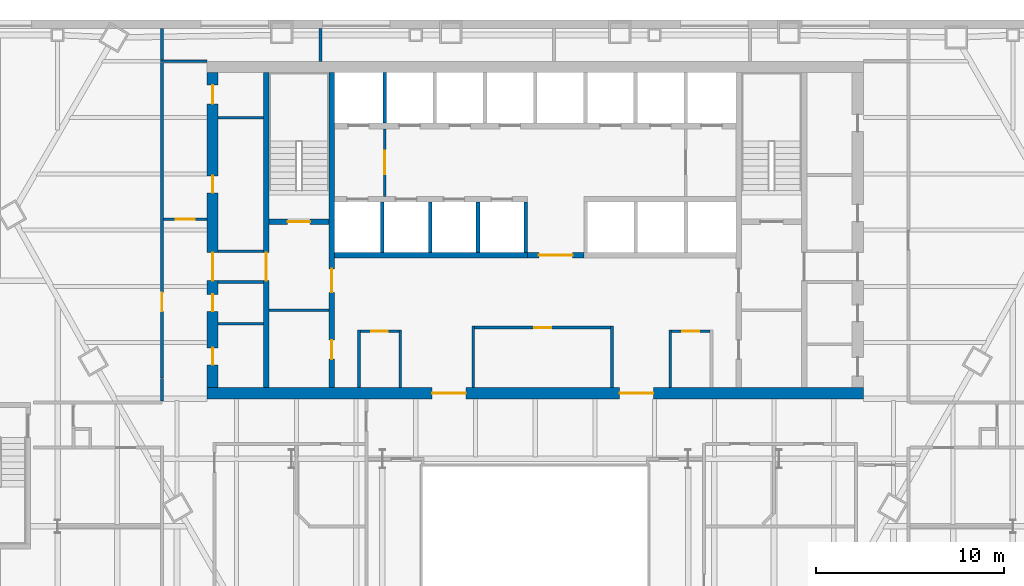
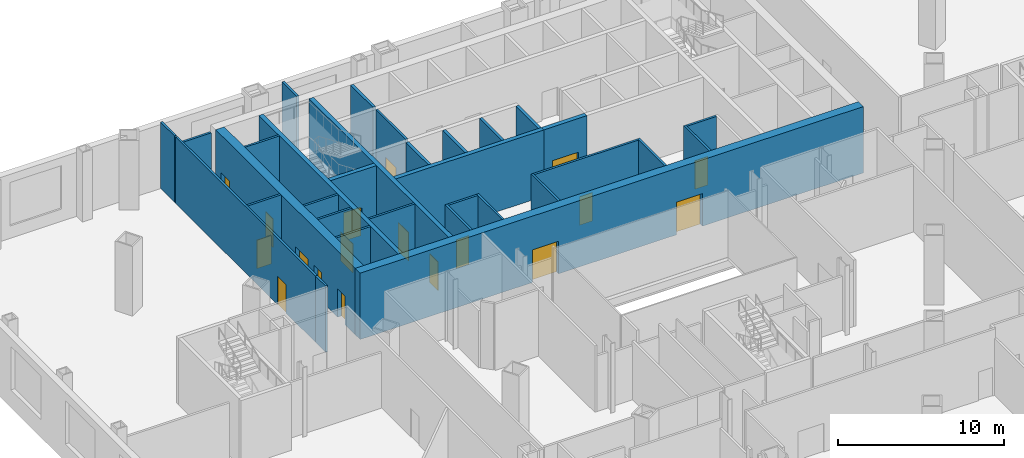
# One storey, part 12 of 21: 32 walls, 18 doors, 18 openings.
"""IFC4 building model written with IfcOpenShell, lengths in metres."""

import ifcopenshell
import ifcopenshell.guid

model = None  # the IFC model being written
_history = None  # IfcOwnerHistory: only IFC2X3 demands one
_inside = {}  # id of a spatial element -> (the spatial element, [elements in it])
_under = {}  # id of a project, library or spatial element -> (it, [spatial elements below it])
_declared = {}  # id of a project -> (the project, [libraries it declares])
_typed = {}  # id of a type object -> (the type object, [elements of that type])
_made_of = {}  # id of a material, layer set ... -> (it, [elements and type objects made of it])


def new_model(schema):
    """Start an empty IFC model of exactly this schema.

    Asked for "IFC4X3", IfcOpenShell would pick the latest addendum, in which some entities
    have other attributes; the version numbers below select the first issue.
    IFC2X3 requires an IfcOwnerHistory on every rooted entity: one is made here for all.
    """
    global model, _history
    if schema == "IFC4X3":
        model = ifcopenshell.file(schema_version=(4, 3, 0, 0))
    else:
        model = ifcopenshell.file(schema=schema)
    _inside.clear()
    _under.clear()
    _declared.clear()
    _typed.clear()
    _made_of.clear()
    _history = None
    if model.schema == "IFC2X3":
        org = make("IfcOrganization", Name="unknown")
        user = make(
            "IfcPersonAndOrganization",
            ThePerson=make("IfcPerson", FamilyName="unknown"),
            TheOrganization=org,
        )
        app = make(
            "IfcApplication",
            ApplicationDeveloper=org,
            Version="unknown",
            ApplicationFullName="unknown",
            ApplicationIdentifier="unknown",
        )
        _history = make(
            "IfcOwnerHistory",
            OwningUser=user,
            OwningApplication=app,
            ChangeAction="ADDED",
            CreationDate=0,
        )
    return model


def make(cls, **values):
    """One entity of the class cls with the attributes given. An attribute that is None is left unset."""
    return model.create_entity(
        cls, **{name: value for name, value in values.items() if value is not None}
    )


def rooted(cls, **values):
    """An entity with a GlobalId (a new one), such as an element, a storey or a relation."""
    return make(cls, GlobalId=ifcopenshell.guid.new(), OwnerHistory=_history, **values)


def si_unit(unit_type, name, prefix=None):
    """IfcSIUnit, for example si_unit("LENGTHUNIT", "METRE", prefix="MILLI")."""
    return make("IfcSIUnit", UnitType=unit_type, Prefix=prefix, Name=name)


def assignment(units):
    """IfcUnitAssignment: the units of a project."""
    return None if units is None else make("IfcUnitAssignment", Units=units)


def point(xyz):
    """IfcCartesianPoint."""
    return None if xyz is None else make("IfcCartesianPoint", Coordinates=xyz)


def direction(xyz):
    """IfcDirection."""
    return None if xyz is None else make("IfcDirection", DirectionRatios=xyz)


def frame(location, z_axis=None, x_axis=None):
    """IfcAxis2Placement3D, a coordinate frame: its origin and axes. An axis left out is left unset."""
    return make(
        "IfcAxis2Placement3D",
        Location=point(location),
        Axis=direction(z_axis),
        RefDirection=direction(x_axis),
    )


def frame_2d(location, x_axis=None):
    """IfcAxis2Placement2D, a coordinate frame in the plane: its origin and x axis."""
    return make(
        "IfcAxis2Placement2D", Location=point(location), RefDirection=direction(x_axis)
    )


def origin():
    """The frame at (0, 0, 0) with its axes left unset."""
    return frame((0.0, 0.0, 0.0))


def place(relative_to, where):
    """IfcLocalPlacement: puts the frame where relative to a parent placement (None: the world)."""
    return make(
        "IfcLocalPlacement", PlacementRelTo=relative_to, RelativePlacement=where
    )


def context(
    kind, dimensions, precision=None, world=None, true_north=None, identifier=None
):
    """IfcGeometricRepresentationContext, for example the 3D "Model" context."""
    return make(
        "IfcGeometricRepresentationContext",
        ContextIdentifier=identifier,
        ContextType=kind,
        CoordinateSpaceDimension=dimensions,
        Precision=precision,
        WorldCoordinateSystem=world,
        TrueNorth=true_north,
    )


def subcontext(parent, identifier, kind, view, scale=None):
    """IfcGeometricRepresentationSubContext, for example "Body" below "Model"."""
    return make(
        "IfcGeometricRepresentationSubContext",
        ContextIdentifier=identifier,
        ContextType=kind,
        ParentContext=parent,
        TargetScale=scale,
        TargetView=view,
    )


def project(units=None, contexts=None):
    """IfcProject with its units and contexts."""
    return rooted(
        "IfcProject",
        Name="project",
        RepresentationContexts=contexts,
        UnitsInContext=assignment(units),
    )


def spatial(cls, under=None, at=None, **own):
    """A site, building, storey or space (cls), placed at a placement, below another one or the project."""
    s = rooted(cls, ObjectPlacement=at, **own)
    if under is not None:
        _under.setdefault(under.id(), (under, []))[1].append(s)
    return s


def profile(cls, at=None, kind="AREA", **sizes):
    """A parametric profile (cls). Its sizes go by their IFC names, for example OverallWidth=200.0."""
    return make(cls, ProfileType=kind, Position=at, **sizes)


def rectangle(**sizes):
    """IfcRectangleProfileDef."""
    return profile("IfcRectangleProfileDef", **sizes)


def extrude(swept, where, along, depth):
    """IfcExtrudedAreaSolid: the profile swept, set in the frame where, extruded along a direction by depth."""
    return make(
        "IfcExtrudedAreaSolid",
        SweptArea=swept,
        Position=where,
        ExtrudedDirection=direction(along),
        Depth=depth,
    )


def shape(context_of_items, identifier, shape_type, items):
    """IfcShapeRepresentation: the items that make up one representation, for example the "Body"."""
    return make(
        "IfcShapeRepresentation",
        ContextOfItems=context_of_items,
        RepresentationIdentifier=identifier,
        RepresentationType=shape_type,
        Items=items,
    )


def material(Name=None, Category=None):
    """IfcMaterial."""
    return make("IfcMaterial", Name=Name, Category=Category)


def layer(
    of_material, thickness, ventilated=None, Name=None, Category=None, Priority=None
):
    """IfcMaterialLayer: one layer of a wall or slab, of a material (None: an air gap)."""
    return make(
        "IfcMaterialLayer",
        Material=of_material,
        LayerThickness=thickness,
        IsVentilated=ventilated,
        Name=Name,
        Category=Category,
        Priority=Priority,
    )


def layer_set(layers, Name=None):
    """IfcMaterialLayerSet."""
    return make("IfcMaterialLayerSet", MaterialLayers=layers, LayerSetName=Name)


def made_of(thing, what):
    """Note that an element or type object is made of a material, layer set ...; save() writes the relation."""
    if what is not None:
        _made_of.setdefault(what.id(), (what, []))[1].append(thing)
    return thing


def type_object(cls, material=None, **own):
    """A type object (cls), such as IfcWallType, which elements share."""
    return made_of(rooted(cls, **own), material)


def element(
    cls,
    number,
    at=None,
    inside=None,
    cuts=None,
    type_object=None,
    material=None,
    context=None,
    identifier="Body",
    shape_type=None,
    held_by="IfcProductDefinitionShape",
    body=None,
    shapes=None,
    **own,
):
    """One element of the class cls, such as IfcWall. Its Tag is "e" and its number.

    at: its placement. inside: the storey or other place that contains it. cuts: it is an
    opening in that element (IfcRelVoidsElement). A single representation is given by context,
    identifier, shape_type and body (its items); several are given by shapes. held_by: the class
    of the entity that holds the representations. save() writes the other relations.
    """
    e = rooted(cls, Tag="e%d" % number, ObjectPlacement=at, **own)
    if body is not None:
        shapes = [shape(context, identifier, shape_type, body)]
    if shapes is not None:
        e.Representation = make(held_by, Representations=shapes)
    if inside is not None:
        _inside.setdefault(inside.id(), (inside, []))[1].append(e)
    if cuts is not None:
        rooted(
            "IfcRelVoidsElement", RelatingBuildingElement=cuts, RelatedOpeningElement=e
        )
    if type_object is not None:
        _typed.setdefault(type_object.id(), (type_object, []))[1].append(e)
    return made_of(e, material)


def fill(opening, filler):
    """IfcRelFillsElement: the door or window that sits in an opening."""
    return rooted(
        "IfcRelFillsElement",
        RelatingOpeningElement=opening,
        RelatedBuildingElement=filler,
    )


def aggregate(whole, parts):
    """IfcRelAggregates: a whole, such as a stair, and the parts it consists of."""
    return rooted("IfcRelAggregates", RelatingObject=whole, RelatedObjects=parts)


def save(model, path):
    """Write the relations noted so far, then the file.

    IfcRelAggregates (storeys below a building ...), IfcRelContainedInSpatialStructure (elements
    in a storey), IfcRelDefinesByType, IfcRelAssociatesMaterial and IfcRelDeclares: one each for
    every whole, place, type object, material and project.
    """
    for whole, parts in _under.values():
        aggregate(whole, parts)
    for where, things in _inside.values():
        rooted(
            "IfcRelContainedInSpatialStructure",
            RelatedElements=things,
            RelatingStructure=where,
        )
    for kind, things in _typed.values():
        rooted("IfcRelDefinesByType", RelatedObjects=things, RelatingType=kind)
    for what, things in _made_of.values():
        rooted("IfcRelAssociatesMaterial", RelatedObjects=things, RelatingMaterial=what)
    for by, libraries in _declared.values():
        rooted("IfcRelDeclares", RelatingContext=by, RelatedDefinitions=libraries)
    model.write(path)


model = new_model("IFC4")

# Units and contexts
model_context = context("Model", 3, precision=1e-05, world=origin(), true_north=direction((0.0, 1.0)))
body_context = subcontext(model_context, "Body", "Model", "MODEL_VIEW")
ifc_project = project(units=[si_unit("LENGTHUNIT", "METRE"), si_unit("AREAUNIT", "SQUARE_METRE"), si_unit("VOLUMEUNIT", "CUBIC_METRE"), si_unit("PLANEANGLEUNIT", "RADIAN"), si_unit("MASSUNIT", "GRAM", prefix="KILO")], contexts=[model_context])

# Site, building, storey
site_placement = place(None, origin())
site = spatial("IfcSite", under=ifc_project, at=site_placement, CompositionType="ELEMENT")
building_placement = place(site_placement, origin())
building = spatial("IfcBuilding", under=site, at=building_placement, Name="Njiva Tower", CompositionType="ELEMENT")
storey_placement = place(building_placement, frame((0.0, 0.0, 8.4)))
storey = spatial("IfcBuildingStorey", under=building, at=storey_placement, Name="L01", CompositionType="ELEMENT", Elevation=8.4)

# Walls
ifc_material_1 = material(Name="Blockwork", Category="masonry")
ifc_layer_1 = layer(ifc_material_1, 0.15)
ifc_layer_set_1 = layer_set([ifc_layer_1], Name="Blockwork")
wall_type_1 = type_object("IfcWallType", Name="WT1 Compartment partition 150", PredefinedType="PARTITIONING", material=ifc_layer_set_1)
wall_1_placement = place(storey_placement, frame((-14.2, 4.725, 0.0), z_axis=(0.0, 0.0, 1.0), x_axis=(1.0, 0.0, 0.0)))
element("IfcWall", 1, at=wall_1_placement, inside=storey, type_object=wall_type_1, Name="Room wall A", PredefinedType="PARTITIONING", context=body_context, shape_type="SweptSolid", body=[
    extrude(rectangle(XDim=3.2, YDim=0.15, at=frame_2d((1.6, 0.0))), origin(), (0.0, 0.0, 1.0), 4.88),
])
wall_2_placement = place(storey_placement, frame((-16.9, 14.9919, 0.0), z_axis=(0.0, 0.0, 1.0), x_axis=(1.0, 0.0, 0.0)))
element("IfcWall", 2, at=wall_2_placement, inside=storey, type_object=wall_type_1, Name="Partition strip W10", PredefinedType="PARTITIONING", context=body_context, shape_type="SweptSolid", body=[
    extrude(rectangle(XDim=2.4, YDim=0.15, at=frame_2d((1.2, 0.0))), origin(), (0.0, 0.0, 1.0), 4.88),
])
wall_3_placement = place(storey_placement, frame((7.2, 0.6, 0.0), z_axis=(0.0, 0.0, 1.0), x_axis=(0.0, 1.0, 0.0)))
element("IfcWall", 3, at=wall_3_placement, inside=storey, type_object=wall_type_1, Name="Tenant reception wall west", PredefinedType="PARTITIONING", context=body_context, shape_type="SweptSolid", body=[
    extrude(rectangle(XDim=3.075, YDim=0.15, at=frame_2d((1.5375, 0.0))), origin(), (0.0, 0.0, 1.0), 4.88),
])

# Wall, opening, door
wall_4_placement = place(storey_placement, frame((7.275, 3.6, 0.0), z_axis=(0.0, 0.0, 1.0), x_axis=(1.0, 0.0, 0.0)))
wall_4 = element("IfcWall", 4, at=wall_4_placement, inside=storey, type_object=wall_type_1, Name="Tenant reception wall north", PredefinedType="PARTITIONING", context=body_context, shape_type="SweptSolid", body=[
    extrude(rectangle(XDim=2.05, YDim=0.15, at=frame_2d((1.025, 0.0))), origin(), (0.0, 0.0, 1.0), 4.88),
])
opening_1_placement = place(wall_4_placement, frame((0.575, 0.0, 0.0)))
opening_1 = element("IfcOpeningElement", 5, at=opening_1_placement, cuts=wall_4, Name="Opening L01-D932", PredefinedType="OPENING", context=body_context, shape_type="SweptSolid", body=[
    extrude(rectangle(XDim=0.9, YDim=2.1, at=frame_2d((0.45, 1.05))), frame((0.0, 0.085, 0.0), z_axis=(0.0, -1.0, 0.0), x_axis=(1.0, 0.0, 0.0)), (0.0, 0.0, 1.0), 0.17),
])
ifc_material_2 = material(Name="Steel fire door, painted", Category="steel")
door_type_1 = type_object("IfcDoorType", Name="D6 Fire-rated door 900x2100", OperationType="SINGLE_SWING_LEFT", PredefinedType="DOOR", material=ifc_material_2)
door_1_placement = place(opening_1_placement, origin())
door_1 = element("IfcDoor", 6, at=door_1_placement, inside=storey, type_object=door_type_1, Name="Tenant reception door", OperationType="SINGLE_SWING_RIGHT", OverallHeight=2.1, OverallWidth=0.9, PredefinedType="DOOR", context=body_context, shape_type="SweptSolid", body=[
    extrude(rectangle(XDim=0.9, YDim=2.1, at=frame_2d((0.45, 1.05))), frame((0.0, 0.025, 0.0), z_axis=(0.0, -1.0, 0.0), x_axis=(1.0, 0.0, 0.0)), (0.0, 0.0, 1.0), 0.05),
])
fill(opening_1, door_1)

# Walls
for number, where, z_axis, x_axis, name in (
    (7, (-3.3, 0.6, 0.0), (0.0, 0.0, 1.0), (0.0, 1.0, 0.0), "Waiting room wall west"),
    (8, (4.1, 0.6, 0.0), (0.0, 0.0, 1.0), (0.0, 1.0, 0.0), "Waiting room wall east"),
):
    element("IfcWall", number, at=place(storey_placement, frame(where, z_axis=z_axis, x_axis=x_axis)), inside=storey, type_object=wall_type_1, Name=name, PredefinedType="PARTITIONING", context=body_context, shape_type="SweptSolid", body=[
        extrude(rectangle(XDim=3.275, YDim=0.15, at=frame_2d((1.6375, 0.0))), origin(), (0.0, 0.0, 1.0), 4.88),
    ])

# Wall, opening, door
wall_5_placement = place(storey_placement, frame((-3.225, 3.8, 0.0), z_axis=(0.0, 0.0, 1.0), x_axis=(1.0, 0.0, 0.0)))
wall_5 = element("IfcWall", 9, at=wall_5_placement, inside=storey, type_object=wall_type_1, Name="Waiting room wall north", PredefinedType="PARTITIONING", context=body_context, shape_type="SweptSolid", body=[
    extrude(rectangle(XDim=7.25, YDim=0.15, at=frame_2d((3.625, 0.0))), origin(), (0.0, 0.0, 1.0), 4.88),
])
opening_2_placement = place(wall_5_placement, frame((3.175, 0.0, 0.0)))
opening_2 = element("IfcOpeningElement", 10, at=opening_2_placement, cuts=wall_5, Name="Opening L01-D933", PredefinedType="OPENING", context=body_context, shape_type="SweptSolid", body=[
    extrude(rectangle(XDim=0.9, YDim=2.1, at=frame_2d((0.45, 1.05))), frame((0.0, 0.085, 0.0), z_axis=(0.0, -1.0, 0.0), x_axis=(1.0, 0.0, 0.0)), (0.0, 0.0, 1.0), 0.17),
])
door_2_placement = place(opening_2_placement, origin())
door_2 = element("IfcDoor", 11, at=door_2_placement, inside=storey, type_object=door_type_1, Name="Waiting room door", OperationType="SINGLE_SWING_LEFT", OverallHeight=2.1, OverallWidth=0.9, PredefinedType="DOOR", context=body_context, shape_type="SweptSolid", body=[
    extrude(rectangle(XDim=0.9, YDim=2.1, at=frame_2d((0.45, 1.05))), frame((0.0, 0.025, 0.0), z_axis=(0.0, -1.0, 0.0), x_axis=(1.0, 0.0, 0.0)), (0.0, 0.0, 1.0), 0.05),
])
fill(opening_2, door_2)

# Walls
for number, where, z_axis, x_axis, name in (
    (12, (-9.4, 0.6, 0.0), (0.0, 0.0, 1.0), (0.0, 1.0, 0.0), "First aid room wall west"),
    (13, (-7.2, 0.6, 0.0), (0.0, 0.0, 1.0), (0.0, 1.0, 0.0), "First aid room wall east"),
):
    element("IfcWall", number, at=place(storey_placement, frame(where, z_axis=z_axis, x_axis=x_axis)), inside=storey, type_object=wall_type_1, Name=name, PredefinedType="PARTITIONING", context=body_context, shape_type="SweptSolid", body=[
        extrude(rectangle(XDim=3.075, YDim=0.15, at=frame_2d((1.5375, 0.0))), origin(), (0.0, 0.0, 1.0), 4.88),
    ])

# Wall, opening, door
wall_6_placement = place(storey_placement, frame((-9.325, 3.6, 0.0), z_axis=(0.0, 0.0, 1.0), x_axis=(1.0, 0.0, 0.0)))
wall_6 = element("IfcWall", 14, at=wall_6_placement, inside=storey, type_object=wall_type_1, Name="First aid room wall north", PredefinedType="PARTITIONING", context=body_context, shape_type="SweptSolid", body=[
    extrude(rectangle(XDim=2.05, YDim=0.15, at=frame_2d((1.025, 0.0))), origin(), (0.0, 0.0, 1.0), 4.88),
])
opening_3_placement = place(wall_6_placement, frame((0.575, 0.0, 0.0)))
opening_3 = element("IfcOpeningElement", 15, at=opening_3_placement, cuts=wall_6, Name="Opening L01-D934", PredefinedType="OPENING", context=body_context, shape_type="SweptSolid", body=[
    extrude(rectangle(XDim=0.9, YDim=2.1, at=frame_2d((0.45, 1.05))), frame((0.0, 0.085, 0.0), z_axis=(0.0, -1.0, 0.0), x_axis=(1.0, 0.0, 0.0)), (0.0, 0.0, 1.0), 0.17),
])
door_3_placement = place(opening_3_placement, origin())
door_3 = element("IfcDoor", 16, at=door_3_placement, inside=storey, type_object=door_type_1, Name="First aid room door", OperationType="SINGLE_SWING_RIGHT", OverallHeight=2.1, OverallWidth=0.9, PredefinedType="DOOR", context=body_context, shape_type="SweptSolid", body=[
    extrude(rectangle(XDim=0.9, YDim=2.1, at=frame_2d((0.45, 1.05))), frame((0.0, 0.025, 0.0), z_axis=(0.0, -1.0, 0.0), x_axis=(1.0, 0.0, 0.0)), (0.0, 0.0, 1.0), 0.05),
])
fill(opening_3, door_3)

# Wall, openings, doors
ifc_material_3 = material(Name="Concrete C40/50", Category="concrete")
ifc_layer_2 = layer(ifc_material_3, 0.3)
ifc_layer_set_2 = layer_set([ifc_layer_2], Name="Concrete C40/50")
wall_type_2 = type_object("IfcWallType", Name="WT10 Stair enclosure wall 300", PredefinedType="SHEAR", material=ifc_layer_set_2)
wall_7_placement = place(storey_placement, frame((-10.85, 0.6, 0.0), z_axis=(0.0, 0.0, 1.0), x_axis=(0.0, 1.0, 0.0)))
wall_7 = element("IfcWall", 17, at=wall_7_placement, inside=storey, type_object=wall_type_2, Name="Stair wall west inner", PredefinedType="SHEAR", context=body_context, shape_type="SweptSolid", body=[
    extrude(rectangle(XDim=16.8, YDim=0.3, at=frame_2d((8.4, 0.0))), origin(), (0.0, 0.0, 1.0), 4.88),
])
opening_4_placement = place(wall_7_placement, frame((5.075, 0.0, 0.0)))
opening_4 = element("IfcOpeningElement", 18, at=opening_4_placement, cuts=wall_7, Name="Opening L01-D914", PredefinedType="OPENING", context=body_context, shape_type="SweptSolid", body=[
    extrude(rectangle(XDim=1.25, YDim=2.1, at=frame_2d((0.625, 1.05))), frame((0.0, 0.16, 0.0), z_axis=(0.0, -1.0, 0.0), x_axis=(1.0, 0.0, 0.0)), (0.0, 0.0, 1.0), 0.32),
])
opening_5_placement = place(wall_7_placement, frame((1.525, 0.0, 0.0)))
opening_5 = element("IfcOpeningElement", 19, at=opening_5_placement, cuts=wall_7, Name="Opening L01-D915", PredefinedType="OPENING", context=body_context, shape_type="SweptSolid", body=[
    extrude(rectangle(XDim=1.0, YDim=2.1, at=frame_2d((0.5, 1.05))), frame((0.0, 0.16, 0.0), z_axis=(0.0, -1.0, 0.0), x_axis=(1.0, 0.0, 0.0)), (0.0, 0.0, 1.0), 0.32),
])
ifc_material_4 = material(Name="Steel door, painted", Category="steel")
door_type_2 = type_object("IfcDoorType", Name="D5 Steel door 1000x2100", OperationType="SINGLE_SWING_LEFT", PredefinedType="DOOR", material=ifc_material_4)
door_4_placement = place(opening_5_placement, origin())
door_4 = element("IfcDoor", 20, at=door_4_placement, inside=storey, type_object=door_type_2, Name="Meeting room door", OperationType="SINGLE_SWING_RIGHT", OverallHeight=2.1, OverallWidth=1.0, PredefinedType="DOOR", context=body_context, shape_type="SweptSolid", body=[
    extrude(rectangle(XDim=1.0, YDim=2.1, at=frame_2d((0.5, 1.05))), frame((0.0, 0.025, 0.0), z_axis=(0.0, -1.0, 0.0), x_axis=(1.0, 0.0, 0.0)), (0.0, 0.0, 1.0), 0.05),
])
fill(opening_5, door_4)
ifc_material_5 = material(Name="Glazed steel fire door", Category="steel")
door_type_3 = type_object("IfcDoorType", Name="D8 Vestibule corridor door 1250x2100 glazed", OperationType="SINGLE_SWING_LEFT", PredefinedType="DOOR", material=ifc_material_5)
door_5_placement = place(opening_4_placement, origin())
door_5 = element("IfcDoor", 21, at=door_5_placement, inside=storey, type_object=door_type_3, Name="Stair vestibule corridor door", OperationType="SINGLE_SWING_LEFT", OverallHeight=2.1, OverallWidth=1.25, PredefinedType="DOOR", context=body_context, shape_type="SweptSolid", body=[
    extrude(rectangle(XDim=1.25, YDim=2.1, at=frame_2d((0.625, 1.05))), frame((0.0, 0.025, 0.0), z_axis=(0.0, -1.0, 0.0), x_axis=(1.0, 0.0, 0.0)), (0.0, 0.0, 1.0), 0.05),
])
fill(opening_4, door_5)

# Wall, opening, door
wall_8_placement = place(storey_placement, frame((-14.35, 0.6, 0.0), z_axis=(0.0, 0.0, 1.0), x_axis=(0.0, 1.0, 0.0)))
wall_8 = element("IfcWall", 22, at=wall_8_placement, inside=storey, type_object=wall_type_2, Name="Stair wall west outer", PredefinedType="SHEAR", context=body_context, shape_type="SweptSolid", body=[
    extrude(rectangle(XDim=16.8, YDim=0.3, at=frame_2d((8.4, 0.0))), origin(), (0.0, 0.0, 1.0), 4.88),
])
opening_6_placement = place(wall_8_placement, frame((5.7, 0.0, 0.0)))
opening_6 = element("IfcOpeningElement", 23, at=opening_6_placement, cuts=wall_8, Name="Opening L01-D920", PredefinedType="OPENING", context=body_context, shape_type="SweptSolid", body=[
    extrude(rectangle(XDim=1.5, YDim=2.1, at=frame_2d((0.75, 1.05))), frame((0.0, 0.16, 0.0), z_axis=(0.0, -1.0, 0.0), x_axis=(1.0, 0.0, 0.0)), (0.0, 0.0, 1.0), 0.32),
])
door_type_4 = type_object("IfcDoorType", Name="D10 Exit door double 1500x2100 glazed", OperationType="DOUBLE_DOOR_SINGLE_SWING", PredefinedType="DOOR", material=ifc_material_5)
door_6_placement = place(opening_6_placement, origin())
door_6 = element("IfcDoor", 24, at=door_6_placement, inside=storey, type_object=door_type_4, Name="Stair A passage door", OperationType="DOUBLE_DOOR_SINGLE_SWING", OverallHeight=2.1, OverallWidth=1.5, PredefinedType="DOOR", context=body_context, shape_type="SweptSolid", body=[
    extrude(rectangle(XDim=1.5, YDim=2.1, at=frame_2d((0.75, 1.05))), frame((0.0, 0.025, 0.0), z_axis=(0.0, -1.0, 0.0), x_axis=(1.0, 0.0, 0.0)), (0.0, 0.0, 1.0), 0.05),
])
fill(opening_6, door_6)

wall_9_placement = place(storey_placement, frame((-14.2, 9.45, 0.0), z_axis=(0.0, 0.0, 1.0), x_axis=(1.0, 0.0, 0.0)))
wall_9 = element("IfcWall", 25, at=wall_9_placement, inside=storey, type_object=wall_type_2, Name="Stair A south wall", PredefinedType="SHEAR", context=body_context, shape_type="SweptSolid", body=[
    extrude(rectangle(XDim=3.2, YDim=0.3, at=frame_2d((1.6, 0.0))), origin(), (0.0, 0.0, 1.0), 4.88),
])
opening_7_placement = place(wall_9_placement, frame((1.0, 0.0, 0.0)))
opening_7 = element("IfcOpeningElement", 26, at=opening_7_placement, cuts=wall_9, Name="Opening L01-D913", PredefinedType="OPENING", context=body_context, shape_type="SweptSolid", body=[
    extrude(rectangle(XDim=1.2, YDim=2.1, at=frame_2d((0.6, 1.05))), frame((0.0, 0.16, 0.0), z_axis=(0.0, -1.0, 0.0), x_axis=(1.0, 0.0, 0.0)), (0.0, 0.0, 1.0), 0.32),
])
door_type_5 = type_object("IfcDoorType", Name="D7 Stair vestibule door 1200x2100 glazed", OperationType="SINGLE_SWING_LEFT", PredefinedType="DOOR", material=ifc_material_5)
door_7_placement = place(opening_7_placement, origin())
door_7 = element("IfcDoor", 27, at=door_7_placement, inside=storey, type_object=door_type_5, Name="Stair A door", OperationType="SINGLE_SWING_LEFT", OverallHeight=2.1, OverallWidth=1.2, PredefinedType="DOOR", context=body_context, shape_type="SweptSolid", body=[
    extrude(rectangle(XDim=1.2, YDim=2.1, at=frame_2d((0.6, 1.05))), frame((0.0, 0.025, 0.0), z_axis=(0.0, -1.0, 0.0), x_axis=(1.0, 0.0, 0.0)), (0.0, 0.0, 1.0), 0.05),
])
fill(opening_7, door_7)

# Wall, openings, doors
ifc_material_6 = material(Name="Concrete C60/75", Category="concrete")
ifc_layer_3 = layer(ifc_material_6, 0.6)
ifc_layer_set_3 = layer_set([ifc_layer_3], Name="Concrete C60/75")
wall_type_3 = type_object("IfcWallType", Name="WT15 Core wall 600", PredefinedType="SHEAR", material=ifc_layer_set_3)
wall_10_placement = place(storey_placement, frame((-17.5, 0.3, 0.0), z_axis=(0.0, 0.0, 1.0), x_axis=(1.0, 0.0, 0.0)))
wall_10 = element("IfcWall", 28, at=wall_10_placement, inside=storey, type_object=wall_type_3, Name="Core wall south", PredefinedType="SHEAR", context=body_context, shape_type="SweptSolid", body=[
    extrude(rectangle(XDim=35.0, YDim=0.6, at=frame_2d((17.5, 0.0))), origin(), (0.0, 0.0, 1.0), 4.88),
])
opening_8_placement = place(wall_10_placement, frame((12.0, 0.0, 0.0)))
opening_8 = element("IfcOpeningElement", 29, at=opening_8_placement, cuts=wall_10, Name="Opening L01-D936", PredefinedType="OPENING", context=body_context, shape_type="SweptSolid", body=[
    extrude(rectangle(XDim=1.8, YDim=2.4, at=frame_2d((0.9, 1.2))), frame((0.0, 0.31, 0.0), z_axis=(0.0, -1.0, 0.0), x_axis=(1.0, 0.0, 0.0)), (0.0, 0.0, 1.0), 0.62),
])
opening_9_placement = place(wall_10_placement, frame((22.0, 0.0, 0.0)))
opening_9 = element("IfcOpeningElement", 30, at=opening_9_placement, cuts=wall_10, Name="Opening L01-D937", PredefinedType="OPENING", context=body_context, shape_type="SweptSolid", body=[
    extrude(rectangle(XDim=1.8, YDim=2.4, at=frame_2d((0.9, 1.2))), frame((0.0, 0.31, 0.0), z_axis=(0.0, -1.0, 0.0), x_axis=(1.0, 0.0, 0.0)), (0.0, 0.0, 1.0), 0.62),
])
ifc_material_7 = material(Name="Steel and glass door", Category="steel")
door_type_6 = type_object("IfcDoorType", Name="D3 Core entrance door 1800x2400", OperationType="DOUBLE_DOOR_SINGLE_SWING", PredefinedType="DOOR", material=ifc_material_7)
door_8_placement = place(opening_8_placement, origin())
door_8 = element("IfcDoor", 31, at=door_8_placement, inside=storey, type_object=door_type_6, Name="Core entrance door", OperationType="DOUBLE_DOOR_SINGLE_SWING", OverallHeight=2.4, OverallWidth=1.8, PredefinedType="DOOR", context=body_context, shape_type="SweptSolid", body=[
    extrude(rectangle(XDim=1.8, YDim=2.4, at=frame_2d((0.9, 1.2))), frame((0.0, 0.025, 0.0), z_axis=(0.0, -1.0, 0.0), x_axis=(1.0, 0.0, 0.0)), (0.0, 0.0, 1.0), 0.05),
])
fill(opening_8, door_8)
door_9_placement = place(opening_9_placement, origin())
door_9 = element("IfcDoor", 32, at=door_9_placement, inside=storey, type_object=door_type_6, Name="Core entrance door", OperationType="DOUBLE_DOOR_SINGLE_SWING", OverallHeight=2.4, OverallWidth=1.8, PredefinedType="DOOR", context=body_context, shape_type="SweptSolid", body=[
    extrude(rectangle(XDim=1.8, YDim=2.4, at=frame_2d((0.9, 1.2))), frame((0.0, 0.025, 0.0), z_axis=(0.0, -1.0, 0.0), x_axis=(1.0, 0.0, 0.0)), (0.0, 0.0, 1.0), 0.05),
])
fill(opening_9, door_9)

wall_11_placement = place(storey_placement, frame((-17.2, 0.6, 0.0), z_axis=(0.0, 0.0, 1.0), x_axis=(0.0, 1.0, 0.0)))
wall_11 = element("IfcWall", 33, at=wall_11_placement, inside=storey, type_object=wall_type_3, Name="Core wall west", PredefinedType="SHEAR", context=body_context, shape_type="SweptSolid", body=[
    extrude(rectangle(XDim=16.8, YDim=0.6, at=frame_2d((8.4, 0.0))), origin(), (0.0, 0.0, 1.0), 4.88),
])
opening_10_placement = place(wall_11_placement, frame((5.7, 0.0, 0.0)))
opening_10 = element("IfcOpeningElement", 34, at=opening_10_placement, cuts=wall_11, Name="Opening L01-D921", PredefinedType="OPENING", context=body_context, shape_type="SweptSolid", body=[
    extrude(rectangle(XDim=1.5, YDim=2.1, at=frame_2d((0.75, 1.05))), frame((0.0, 0.31, 0.0), z_axis=(0.0, -1.0, 0.0), x_axis=(1.0, 0.0, 0.0)), (0.0, 0.0, 1.0), 0.62),
])
opening_11_placement = place(wall_11_placement, frame((1.2145, 0.0, 0.0)))
opening_11 = element("IfcOpeningElement", 35, at=opening_11_placement, cuts=wall_11, Name="Opening L01-D922", PredefinedType="OPENING", context=body_context, shape_type="SweptSolid", body=[
    extrude(rectangle(XDim=0.9, YDim=2.1, at=frame_2d((0.45, 1.05))), frame((0.0, 0.31, 0.0), z_axis=(0.0, -1.0, 0.0), x_axis=(1.0, 0.0, 0.0)), (0.0, 0.0, 1.0), 0.62),
])
opening_12_placement = place(wall_11_placement, frame((4.0645, 0.0, 0.0)))
opening_12 = element("IfcOpeningElement", 36, at=opening_12_placement, cuts=wall_11, Name="Opening L01-D923", PredefinedType="OPENING", context=body_context, shape_type="SweptSolid", body=[
    extrude(rectangle(XDim=0.9, YDim=2.1, at=frame_2d((0.45, 1.05))), frame((0.0, 0.31, 0.0), z_axis=(0.0, -1.0, 0.0), x_axis=(1.0, 0.0, 0.0)), (0.0, 0.0, 1.0), 0.62),
])
opening_13_placement = place(wall_11_placement, frame((10.3834, 0.0, 0.0)))
opening_13 = element("IfcOpeningElement", 37, at=opening_13_placement, cuts=wall_11, Name="Opening L01-D924", PredefinedType="OPENING", context=body_context, shape_type="SweptSolid", body=[
    extrude(rectangle(XDim=0.9, YDim=2.1, at=frame_2d((0.45, 1.05))), frame((0.0, 0.31, 0.0), z_axis=(0.0, -1.0, 0.0), x_axis=(1.0, 0.0, 0.0)), (0.0, 0.0, 1.0), 0.62),
])
opening_14_placement = place(wall_11_placement, frame((15.1334, 0.0, 0.0)))
opening_14 = element("IfcOpeningElement", 38, at=opening_14_placement, cuts=wall_11, Name="Opening L01-D925", PredefinedType="OPENING", context=body_context, shape_type="SweptSolid", body=[
    extrude(rectangle(XDim=1.0, YDim=2.1, at=frame_2d((0.5, 1.05))), frame((0.0, 0.31, 0.0), z_axis=(0.0, -1.0, 0.0), x_axis=(1.0, 0.0, 0.0)), (0.0, 0.0, 1.0), 0.62),
])
door_10_placement = place(opening_10_placement, origin())
door_10 = element("IfcDoor", 39, at=door_10_placement, inside=storey, type_object=door_type_4, Name="Stair A corridor door", OperationType="DOUBLE_DOOR_SINGLE_SWING", OverallHeight=2.1, OverallWidth=1.5, PredefinedType="DOOR", context=body_context, shape_type="SweptSolid", body=[
    extrude(rectangle(XDim=1.5, YDim=2.1, at=frame_2d((0.75, 1.05))), frame((0.0, 0.025, 0.0), z_axis=(0.0, -1.0, 0.0), x_axis=(1.0, 0.0, 0.0)), (0.0, 0.0, 1.0), 0.05),
])
fill(opening_10, door_10)
door_type_7 = type_object("IfcDoorType", Name="D4 Riser door 900x2100", OperationType="SINGLE_SWING_LEFT", PredefinedType="DOOR", material=ifc_material_4)
door_11_placement = place(opening_12_placement, origin())
door_11 = element("IfcDoor", 40, at=door_11_placement, inside=storey, type_object=door_type_7, Name="Riser door", OperationType="SINGLE_SWING_RIGHT", OverallHeight=2.1, OverallWidth=0.9, PredefinedType="DOOR", context=body_context, shape_type="SweptSolid", body=[
    extrude(rectangle(XDim=0.9, YDim=2.1, at=frame_2d((0.45, 1.05))), frame((0.0, 0.025, 0.0), z_axis=(0.0, -1.0, 0.0), x_axis=(1.0, 0.0, 0.0)), (0.0, 0.0, 1.0), 0.05),
])
fill(opening_12, door_11)
door_12_placement = place(opening_14_placement, origin())
door_12 = element("IfcDoor", 41, at=door_12_placement, inside=storey, type_object=door_type_2, Name="Electrical room door", OperationType="SINGLE_SWING_RIGHT", OverallHeight=2.1, OverallWidth=1.0, PredefinedType="DOOR", context=body_context, shape_type="SweptSolid", body=[
    extrude(rectangle(XDim=1.0, YDim=2.1, at=frame_2d((0.5, 1.05))), frame((0.0, 0.025, 0.0), z_axis=(0.0, -1.0, 0.0), x_axis=(1.0, 0.0, 0.0)), (0.0, 0.0, 1.0), 0.05),
])
fill(opening_14, door_12)
door_13_placement = place(opening_11_placement, origin())
door_13 = element("IfcDoor", 42, at=door_13_placement, inside=storey, type_object=door_type_1, Name="Business centre door", OperationType="SINGLE_SWING_LEFT", OverallHeight=2.1, OverallWidth=0.9, PredefinedType="DOOR", context=body_context, shape_type="SweptSolid", body=[
    extrude(rectangle(XDim=0.9, YDim=2.1, at=frame_2d((0.45, 1.05))), frame((0.0, 0.025, 0.0), z_axis=(0.0, -1.0, 0.0), x_axis=(1.0, 0.0, 0.0)), (0.0, 0.0, 1.0), 0.05),
])
fill(opening_11, door_13)
door_14_placement = place(opening_13_placement, origin())
door_14 = element("IfcDoor", 43, at=door_14_placement, inside=storey, type_object=door_type_1, Name="Meeting room door", OperationType="SINGLE_SWING_RIGHT", OverallHeight=2.1, OverallWidth=0.9, PredefinedType="DOOR", context=body_context, shape_type="SweptSolid", body=[
    extrude(rectangle(XDim=0.9, YDim=2.1, at=frame_2d((0.45, 1.05))), frame((0.0, 0.025, 0.0), z_axis=(0.0, -1.0, 0.0), x_axis=(1.0, 0.0, 0.0)), (0.0, 0.0, 1.0), 0.05),
])
fill(opening_13, door_14)

# Wall, opening, door
ifc_layer_4 = layer(ifc_material_1, 0.15)
ifc_layer_set_4 = layer_set([ifc_layer_4], Name="Blockwork")
wall_type_4 = type_object("IfcWallType", Name="WT2 Lobby partition 150", PredefinedType="PARTITIONING", material=ifc_layer_set_4)
wall_12_placement = place(storey_placement, frame((-8.025, 10.8, 0.0), z_axis=(0.0, 0.0, 1.0), x_axis=(0.0, 1.0, 0.0)))
wall_12 = element("IfcWall", 44, at=wall_12_placement, inside=storey, type_object=wall_type_4, Name="Firefighting lobby wall A", PredefinedType="PARTITIONING", context=body_context, shape_type="SweptSolid", body=[
    extrude(rectangle(XDim=3.6, YDim=0.15, at=frame_2d((1.8, 0.0))), origin(), (0.0, 0.0, 1.0), 4.88),
])
opening_15_placement = place(wall_12_placement, frame((1.175, 0.0, 0.0)))
opening_15 = element("IfcOpeningElement", 45, at=opening_15_placement, cuts=wall_12, Name="Opening L01-D912", PredefinedType="OPENING", context=body_context, shape_type="SweptSolid", body=[
    extrude(rectangle(XDim=1.25, YDim=2.1, at=frame_2d((0.625, 1.05))), frame((0.0, 0.085, 0.0), z_axis=(0.0, -1.0, 0.0), x_axis=(1.0, 0.0, 0.0)), (0.0, 0.0, 1.0), 0.17),
])
door_15_placement = place(opening_15_placement, origin())
door_15 = element("IfcDoor", 46, at=door_15_placement, inside=storey, type_object=door_type_3, Name="Stair vestibule corridor door", OperationType="SINGLE_SWING_RIGHT", OverallHeight=2.1, OverallWidth=1.25, PredefinedType="DOOR", context=body_context, shape_type="SweptSolid", body=[
    extrude(rectangle(XDim=1.25, YDim=2.1, at=frame_2d((0.625, 1.05))), frame((0.0, 0.025, 0.0), z_axis=(0.0, -1.0, 0.0), x_axis=(1.0, 0.0, 0.0)), (0.0, 0.0, 1.0), 0.05),
])
fill(opening_15, door_15)

# Wall
ifc_material_8 = material(Name="Gypsum board on steel studs", Category="gypsum")
ifc_layer_5 = layer(ifc_material_8, 0.15)
ifc_layer_set_5 = layer_set([ifc_layer_5], Name="Gypsum board on steel studs")
wall_type_5 = type_object("IfcWallType", Name="WT21 Compartment wall 150", PredefinedType="PARTITIONING", material=ifc_layer_set_5)
wall_13_placement = place(storey_placement, frame((-19.9, -0.125, 0.0), z_axis=(0.0, 0.0, 1.0), x_axis=(0.0, 1.0, 0.0)))
element("IfcWall", 47, at=wall_13_placement, inside=storey, type_object=wall_type_5, Name="Partition L01-P015", PredefinedType="PARTITIONING", context=body_context, shape_type="SweptSolid", body=[
    extrude(rectangle(XDim=1.221, YDim=0.15, at=frame_2d((0.6105, 0.0))), origin(), (0.0, 0.0, 1.0), 4.88),
])

# Wall, opening, door
wall_14_placement = place(storey_placement, frame((-19.9, 1.101, 0.0), z_axis=(0.0, 0.0, 1.0), x_axis=(0.0, 1.0, 0.0)))
wall_14 = element("IfcWall", 48, at=wall_14_placement, inside=storey, type_object=wall_type_5, Name="Partition L01-P016", PredefinedType="PARTITIONING", context=body_context, shape_type="SweptSolid", body=[
    extrude(rectangle(XDim=16.824, YDim=0.15, at=frame_2d((8.412, 0.0))), origin(), (0.0, 0.0, 1.0), 4.88),
])
opening_16_placement = place(wall_14_placement, frame((3.567, 0.0, 0.0)))
opening_16 = element("IfcOpeningElement", 49, at=opening_16_placement, cuts=wall_14, Name="Opening L01-D005", PredefinedType="OPENING", context=body_context, shape_type="SweptSolid", body=[
    extrude(rectangle(XDim=1.0, YDim=2.1, at=frame_2d((0.5, 1.05))), frame((0.0, 0.085, 0.0), z_axis=(0.0, -1.0, 0.0), x_axis=(1.0, 0.0, 0.0)), (0.0, 0.0, 1.0), 0.17),
])
ifc_material_9 = material(Name="Steel fire door set", Category="steel")
door_type_8 = type_object("IfcDoorType", Name="D37 Fire door 1000x2100", OperationType="SINGLE_SWING_LEFT", PredefinedType="DOOR", material=ifc_material_9)
door_16_placement = place(opening_16_placement, origin())
door_16 = element("IfcDoor", 50, at=door_16_placement, inside=storey, type_object=door_type_8, Name="Door L01-D005", OperationType="SINGLE_SWING_RIGHT", OverallHeight=2.1, OverallWidth=1.0, PredefinedType="DOOR", context=body_context, shape_type="SweptSolid", body=[
    extrude(rectangle(XDim=1.0, YDim=2.1, at=frame_2d((0.5, 1.05))), frame((0.0, 0.025, 0.0), z_axis=(0.0, -1.0, 0.0), x_axis=(1.0, 0.0, 0.0)), (0.0, 0.0, 1.0), 0.05),
])
fill(opening_16, door_16)

wall_15_placement = place(storey_placement, frame((-19.825, 9.575, 0.0), z_axis=(0.0, 0.0, 1.0), x_axis=(1.0, 0.0, 0.0)))
wall_15 = element("IfcWall", 51, at=wall_15_placement, inside=storey, type_object=wall_type_5, Name="Partition L01-P019", PredefinedType="PARTITIONING", context=body_context, shape_type="SweptSolid", body=[
    extrude(rectangle(XDim=2.325, YDim=0.15, at=frame_2d((1.1625, 0.0))), origin(), (0.0, 0.0, 1.0), 4.88),
])
opening_17_placement = place(wall_15_placement, frame((0.662, 0.0, 0.0)))
opening_17 = element("IfcOpeningElement", 52, at=opening_17_placement, cuts=wall_15, Name="Opening L01-D006", PredefinedType="OPENING", context=body_context, shape_type="SweptSolid", body=[
    extrude(rectangle(XDim=1.0, YDim=2.1, at=frame_2d((0.5, 1.05))), frame((0.0, 0.085, 0.0), z_axis=(0.0, -1.0, 0.0), x_axis=(1.0, 0.0, 0.0)), (0.0, 0.0, 1.0), 0.17),
])
door_17_placement = place(opening_17_placement, origin())
door_17 = element("IfcDoor", 53, at=door_17_placement, inside=storey, type_object=door_type_8, Name="Door L01-D006", OperationType="SINGLE_SWING_RIGHT", OverallHeight=2.1, OverallWidth=1.0, PredefinedType="DOOR", context=body_context, shape_type="SweptSolid", body=[
    extrude(rectangle(XDim=1.0, YDim=2.1, at=frame_2d((0.5, 1.05))), frame((0.0, 0.025, 0.0), z_axis=(0.0, -1.0, 0.0), x_axis=(1.0, 0.0, 0.0)), (0.0, 0.0, 1.0), 0.05),
])
fill(opening_17, door_17)

# Walls
ifc_layer_6 = layer(ifc_material_8, 0.15)
ifc_layer_set_6 = layer_set([ifc_layer_6], Name="Gypsum board on steel studs")
wall_type_6 = type_object("IfcWallType", Name="WT24 Riser room wall 150", PredefinedType="PARTITIONING", material=ifc_layer_set_6)
wall_16_placement = place(storey_placement, frame((-19.975, 18.0, 0.0), z_axis=(0.0, 0.0, 1.0), x_axis=(1.0, 0.0, 0.0)))
element("IfcWall", 54, at=wall_16_placement, inside=storey, type_object=wall_type_6, Name="Partition L01-P013", PredefinedType="PARTITIONING", context=body_context, shape_type="SweptSolid", body=[
    extrude(rectangle(XDim=2.475, YDim=0.15, at=frame_2d((1.2375, 0.0))), origin(), (0.0, 0.0, 1.0), 4.33),
])
wall_17_placement = place(storey_placement, frame((-19.9, 18.075, 0.0), z_axis=(0.0, 0.0, 1.0), x_axis=(0.0, 1.0, 0.0)))
element("IfcWall", 55, at=wall_17_placement, inside=storey, type_object=wall_type_6, Name="Partition L01-P017", PredefinedType="PARTITIONING", context=body_context, shape_type="SweptSolid", body=[
    extrude(rectangle(XDim=1.675, YDim=0.15, at=frame_2d((0.8375, 0.0))), origin(), (0.0, 0.0, 1.0), 4.88),
])
wall_18_placement = place(storey_placement, frame((-11.45, 18.0, 0.0), z_axis=(0.0, 0.0, 1.0), x_axis=(0.0, 1.0, 0.0)))
element("IfcWall", 56, at=wall_18_placement, inside=storey, type_object=wall_type_6, Name="Partition L01-P037", PredefinedType="PARTITIONING", context=body_context, shape_type="SweptSolid", body=[
    extrude(rectangle(XDim=1.75, YDim=0.15, at=frame_2d((0.875, 0.0))), origin(), (0.0, 0.0, 1.0), 4.88),
])
ifc_layer_7 = layer(ifc_material_1, 0.15)
ifc_layer_set_7 = layer_set([ifc_layer_7], Name="Blockwork")
wall_type_7 = type_object("IfcWallType", Name="WT3 Riser partition 150", PredefinedType="PARTITIONING", material=ifc_layer_set_7)
wall_19_placement = place(storey_placement, frame((-16.9, 4.0039, 0.0), z_axis=(0.0, 0.0, 1.0), x_axis=(1.0, 0.0, 0.0)))
element("IfcWall", 57, at=wall_19_placement, inside=storey, type_object=wall_type_7, Name="Partition strip W00", PredefinedType="PARTITIONING", context=body_context, shape_type="SweptSolid", body=[
    extrude(rectangle(XDim=2.4, YDim=0.15, at=frame_2d((1.2, 0.0))), origin(), (0.0, 0.0, 1.0), 4.88),
])
ifc_layer_8 = layer(ifc_material_1, 0.15)
ifc_layer_set_8 = layer_set([ifc_layer_8], Name="Blockwork")
wall_type_8 = type_object("IfcWallType", Name="WT4 Stair partition 150", PredefinedType="PARTITIONING", material=ifc_layer_set_8)
for number, where, z_axis, x_axis, name in (
    (58, (-16.9, 6.225, 0.0), (0.0, 0.0, 1.0), (1.0, 0.0, 0.0), "Stair A exit passage wall south"),
    (59, (-16.9, 7.875, 0.0), (0.0, 0.0, 1.0), (1.0, 0.0, 0.0), "Stair A exit passage wall north"),
):
    element("IfcWall", number, at=place(storey_placement, frame(where, z_axis=z_axis, x_axis=x_axis)), inside=storey, type_object=wall_type_8, Name=name, PredefinedType="PARTITIONING", context=body_context, shape_type="SweptSolid", body=[
        extrude(rectangle(XDim=2.4, YDim=0.15, at=frame_2d((1.2, 0.0))), origin(), (0.0, 0.0, 1.0), 4.88),
    ])

# Wall, opening, door
ifc_layer_9 = layer(ifc_material_1, 0.3)
ifc_layer_set_9 = layer_set([ifc_layer_9], Name="Blockwork")
wall_type_9 = type_object("IfcWallType", Name="WT5 Lobby partition 300", PredefinedType="PARTITIONING", material=ifc_layer_set_9)
wall_20_placement = place(storey_placement, frame((-0.4, 7.65, 0.0), z_axis=(0.0, 0.0, 1.0), x_axis=(1.0, 0.0, 0.0)))
wall_20 = element("IfcWall", 60, at=wall_20_placement, inside=storey, type_object=wall_type_9, Name="Lift lobby screen wall", PredefinedType="PARTITIONING", context=body_context, shape_type="SweptSolid", body=[
    extrude(rectangle(XDim=3.0, YDim=0.3, at=frame_2d((1.5, 0.0))), origin(), (0.0, 0.0, 1.0), 4.88),
])
opening_18_placement = place(wall_20_placement, frame((0.6, 0.0, 0.0)))
opening_18 = element("IfcOpeningElement", 61, at=opening_18_placement, cuts=wall_20, Name="Opening L01-D935", PredefinedType="OPENING", context=body_context, shape_type="SweptSolid", body=[
    extrude(rectangle(XDim=1.8, YDim=2.4, at=frame_2d((0.9, 1.2))), frame((0.0, 0.16, 0.0), z_axis=(0.0, -1.0, 0.0), x_axis=(1.0, 0.0, 0.0)), (0.0, 0.0, 1.0), 0.32),
])
door_18_placement = place(opening_18_placement, origin())
door_18 = element("IfcDoor", 62, at=door_18_placement, inside=storey, type_object=door_type_6, Name="Core entrance door", OperationType="DOUBLE_DOOR_SINGLE_SWING", OverallHeight=2.4, OverallWidth=1.8, PredefinedType="DOOR", context=body_context, shape_type="SweptSolid", body=[
    extrude(rectangle(XDim=1.8, YDim=2.4, at=frame_2d((0.9, 1.2))), frame((0.0, 0.025, 0.0), z_axis=(0.0, -1.0, 0.0), x_axis=(1.0, 0.0, 0.0)), (0.0, 0.0, 1.0), 0.05),
])
fill(opening_18, door_18)

# Walls
ifc_layer_10 = layer(ifc_material_3, 0.2)
ifc_layer_set_10 = layer_set([ifc_layer_10], Name="Concrete C40/50")
wall_type_10 = type_object("IfcWallType", Name="WT6 Lift shaft wall 200", PredefinedType="SHEAR", material=ifc_layer_set_10)
for number, where, z_axis, x_axis, name in (
    (63, (-8.025, 14.7, 0.0), (0.0, 0.0, 1.0), (0.0, 1.0, 0.0), "Shaft wall CN1"),
    (64, (-8.15, 7.8, 0.0), (0.0, 0.0, 1.0), (0.0, 1.0, 0.0), "Shaft wall CS1"),
    (65, (-5.6, 7.8, 0.0), (0.0, 0.0, 1.0), (0.0, 1.0, 0.0), "Shaft wall CS2"),
    (66, (-3.05, 7.8, 0.0), (0.0, 0.0, 1.0), (0.0, 1.0, 0.0), "Shaft wall CS3"),
    (67, (-0.5, 7.8, 0.0), (0.0, 0.0, 1.0), (0.0, 1.0, 0.0), "Shaft wall CS4"),
):
    element("IfcWall", number, at=place(storey_placement, frame(where, z_axis=z_axis, x_axis=x_axis)), inside=storey, type_object=wall_type_10, Name=name, PredefinedType="SHEAR", context=body_context, shape_type="SweptSolid", body=[
        extrude(rectangle(XDim=2.7, YDim=0.2, at=frame_2d((1.35, 0.0))), origin(), (0.0, 0.0, 1.0), 4.88),
    ])
ifc_layer_11 = layer(ifc_material_3, 0.3)
ifc_layer_set_11 = layer_set([ifc_layer_11], Name="Concrete C40/50")
wall_type_11 = type_object("IfcWallType", Name="WT7 Lift shaft wall 300", PredefinedType="SHEAR", material=ifc_layer_set_11)
wall_21_placement = place(storey_placement, frame((-10.7, 7.65, 0.0), z_axis=(0.0, 0.0, 1.0), x_axis=(1.0, 0.0, 0.0)))
element("IfcWall", 68, at=wall_21_placement, inside=storey, type_object=wall_type_11, Name="Shaft wall south row back W", PredefinedType="SHEAR", context=body_context, shape_type="SweptSolid", body=[
    extrude(rectangle(XDim=10.3, YDim=0.3, at=frame_2d((5.15, 0.0))), origin(), (0.0, 0.0, 1.0), 4.88),
])

save(model, "model.ifc")
